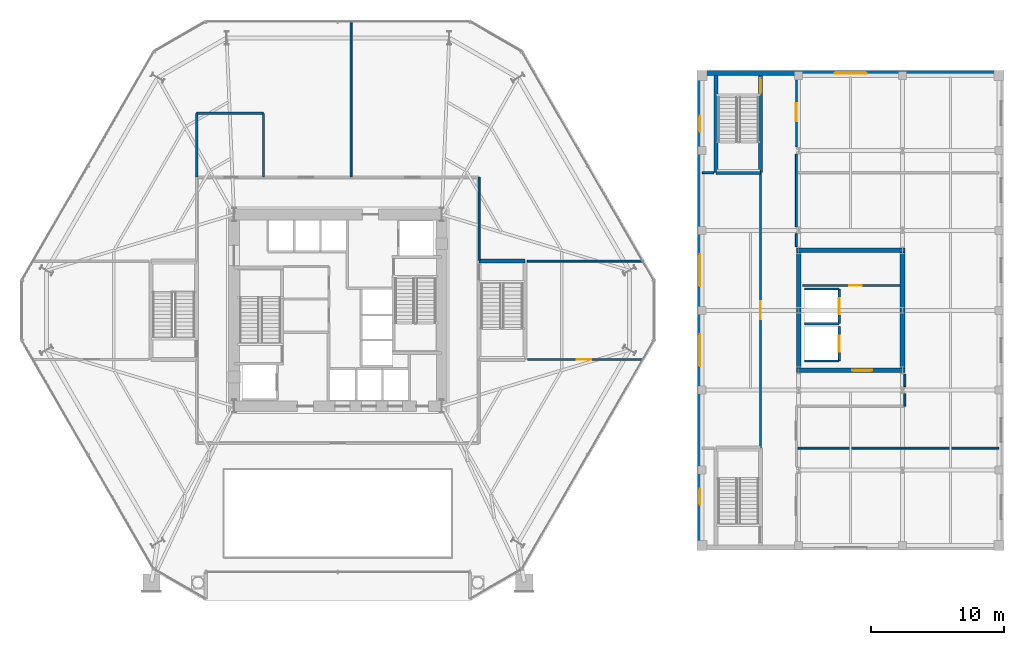
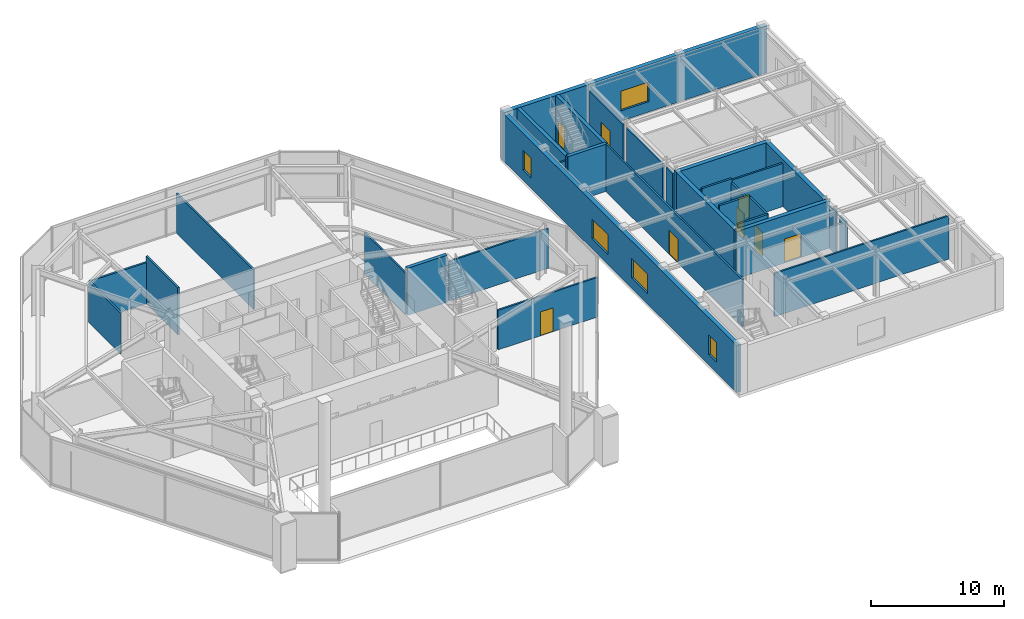
# One storey, part 17 of 22: 31 walls, 8 doors, 5 windows, 13 openings.
"""IFC4 building model written with IfcOpenShell, lengths in metres."""

from ifc_helpers import new_model, si_unit, direction, frame, frame_2d, origin, place, context, subcontext, project, spatial, rectangle, extrude, material, layer, layer_set, type_object, element, fill, save


model = new_model("IFC4")

# Units and contexts
model_context = context("Model", 3, precision=1e-05, world=origin(), true_north=direction((0.0, 1.0)))
body_context = subcontext(model_context, "Body", "Model", "MODEL_VIEW")
ifc_project = project(units=[si_unit("LENGTHUNIT", "METRE"), si_unit("AREAUNIT", "SQUARE_METRE"), si_unit("VOLUMEUNIT", "CUBIC_METRE"), si_unit("PLANEANGLEUNIT", "RADIAN"), si_unit("MASSUNIT", "GRAM", prefix="KILO")], contexts=[model_context])

# Site, building, storey
site_placement = place(None, origin())
site = spatial("IfcSite", under=ifc_project, at=site_placement, CompositionType="ELEMENT")
building_placement = place(site_placement, origin())
building = spatial("IfcBuilding", under=site, at=building_placement, Name="Kranzbogen Civic Tower", CompositionType="ELEMENT")
storey_placement = place(building_placement, frame((0.0, 0.0, 5.199951171875)))
storey = spatial("IfcBuildingStorey", under=building, at=storey_placement, Name="L01", CompositionType="ELEMENT", Elevation=5.199951171875)

# Wall
ifc_material_1 = material(Name="Double-Stud Acoustic Gypsum Partition")
ifc_layer_1 = layer(ifc_material_1, 0.14990234375, Name="Double-Stud Acoustic Gypsum Partition")
ifc_layer_set_1 = layer_set([ifc_layer_1], Name="Double-Stud Acoustic Gypsum Partition")
wall_type_1 = type_object("IfcWallType", Name="Acoustic Corridor and Clinical Partition 150 mm", PredefinedType="PARTITIONING", material=ifc_layer_set_1)
wall_1_placement = place(storey_placement, frame((35.60009765625, 28.75, 0.0), z_axis=(0.0, 0.0, 1.0), x_axis=(0.0, 1.0, 0.0)))
element("IfcWall", 1, at=wall_1_placement, inside=storey, type_object=wall_type_1, Name="L01 podium concourse E2 wall", PredefinedType="PARTITIONING", context=body_context, shape_type="SweptSolid", body=[
    extrude(rectangle(XDim=6.25, YDim=0.14990234375, at=frame_2d((3.125, 0.0))), origin(), (0.0, 0.0, 1.0), 3.7900390625),
])

# Wall, opening, door
wall_2_placement = place(storey_placement, frame((39.22998046875, 21.300048828125, 0.0), z_axis=(0.0, 0.0, 1.0), x_axis=(1.0, 0.0, 0.0)))
wall_2 = element("IfcWall", 2, at=wall_2_placement, inside=storey, type_object=wall_type_1, Name="L01 podium partition 06", PredefinedType="PARTITIONING", context=body_context, shape_type="SweptSolid", body=[
    extrude(rectangle(XDim=8.68994140625, YDim=0.14990234375, at=frame_2d((4.344970703125, 0.0))), origin(), (0.0, 0.0, 1.0), 3.64013671875),
])
opening_1_placement = place(wall_2_placement, frame((3.7060546875, 0.0, 0.0)))
opening_1 = element("IfcOpeningElement", 3, at=opening_1_placement, cuts=wall_2, Name="Opening D-COR60", PredefinedType="OPENING", context=body_context, shape_type="SweptSolid", body=[
    extrude(rectangle(XDim=1.10009765625, YDim=2.199951171875, at=frame_2d((0.550048828125, 1.10009765625))), frame((0.0, 0.0849609375, 0.0), z_axis=(0.0, -1.0, 0.0), x_axis=(1.0, 0.0, 0.0)), (0.0, 0.0, 1.0), 0.169921875),
])
ifc_material_2 = material(Name="Oak Timber and Fire Core", Category="wood")
door_type_1 = type_object("IfcDoorType", Name="Corridor Acoustic Fire Door 1100x2200", OperationType="NOTDEFINED", PredefinedType="DOOR", material=ifc_material_2)
door_1_placement = place(opening_1_placement, origin())
door_1 = element("IfcDoor", 4, at=door_1_placement, inside=storey, type_object=door_type_1, Name="L01 Municipal Archive Room door", OperationType="SINGLE_SWING_RIGHT", OverallHeight=2.199951171875, OverallWidth=1.10009765625, PredefinedType="DOOR", context=body_context, shape_type="SweptSolid", body=[
    extrude(rectangle(XDim=1.10009765625, YDim=2.199951171875, at=frame_2d((0.550048828125, 1.10009765625))), frame((0.0, 0.02490234375, 0.0), z_axis=(0.0, -1.0, 0.0), x_axis=(1.0, 0.0, 0.0)), (0.0, 0.0, 1.0), 0.050048828125),
])
fill(opening_1, door_1)

# Walls
wall_3_placement = place(storey_placement, frame((39.22998046875, 28.699951171875, 0.0), z_axis=(0.0, 0.0, 1.0), x_axis=(1.0, 0.0, 0.0)))
element("IfcWall", 5, at=wall_3_placement, inside=storey, type_object=wall_type_1, Name="L01 podium partition 07", PredefinedType="PARTITIONING", context=body_context, shape_type="SweptSolid", body=[
    extrude(rectangle(XDim=8.68994140625, YDim=0.14990234375, at=frame_2d((4.344970703125, 0.0))), origin(), (0.0, 0.0, 1.0), 3.64013671875),
])
wall_4_placement = place(storey_placement, frame((26.0, 35.030029296875, 0.0), z_axis=(0.0, 0.0, 1.0), x_axis=(0.0, 1.0, 0.0)))
element("IfcWall", 6, at=wall_4_placement, inside=storey, type_object=wall_type_1, Name="L01 podium partition 08", PredefinedType="PARTITIONING", context=body_context, shape_type="SweptSolid", body=[
    extrude(rectangle(XDim=11.669921875, YDim=0.14990234375, at=frame_2d((5.8349609375, 0.0))), origin(), (0.0, 0.0, 1.0), 3.64013671875),
])

# Wall, opening, door
wall_5_placement = place(storey_placement, frame((56.75, 14.64990234375, 0.0), z_axis=(0.0, 0.0, 1.0), x_axis=(0.0, 1.0, 0.0)))
wall_5 = element("IfcWall", 7, at=wall_5_placement, inside=storey, type_object=wall_type_1, Name="L01 clinical corridor W wall", PredefinedType="PARTITIONING", context=body_context, shape_type="SweptSolid", body=[
    extrude(rectangle(XDim=20.7001953125, YDim=0.14990234375, at=frame_2d((10.35009765625, 0.0))), origin(), (0.0, 0.0, 1.0), 4.340087890625),
])
opening_2_placement = place(wall_5_placement, frame((9.675048828125, 0.0, 0.0)))
opening_2 = element("IfcOpeningElement", 8, at=opening_2_placement, cuts=wall_5, Name="Opening D-CLN60", PredefinedType="OPENING", context=body_context, shape_type="SweptSolid", body=[
    extrude(rectangle(XDim=1.35009765625, YDim=2.199951171875, at=frame_2d((0.675048828125, 1.10009765625))), frame((0.0, 0.0849609375, 0.0), z_axis=(0.0, -1.0, 0.0), x_axis=(1.0, 0.0, 0.0)), (0.0, 0.0, 1.0), 0.169921875),
])
ifc_material_3 = material(Name="Pale Anodised Aluminium", Category="aluminium")
door_type_2 = type_object("IfcDoorType", Name="Clinical Wide Leaf Door 1350x2200", OperationType="NOTDEFINED", PredefinedType="DOOR", material=ifc_material_3)
door_2_placement = place(opening_2_placement, origin())
door_2 = element("IfcDoor", 9, at=door_2_placement, inside=storey, type_object=door_type_2, Name="L01 General Practice Suite 1 door", OperationType="SINGLE_SWING_LEFT", OverallHeight=2.199951171875, OverallWidth=1.35009765625, PredefinedType="DOOR", context=body_context, shape_type="SweptSolid", body=[
    extrude(rectangle(XDim=1.35009765625, YDim=2.199951171875, at=frame_2d((0.675048828125, 1.10009765625))), frame((0.0, 0.02490234375, 0.0), z_axis=(0.0, -1.0, 0.0), x_axis=(1.0, 0.0, 0.0)), (0.0, 0.0, 1.0), 0.050048828125),
])
fill(opening_2, door_2)

# Walls
wall_6_placement = place(storey_placement, frame((59.425048828125, 29.7900390625, 0.0), z_axis=(0.0, 0.0, 1.0), x_axis=(0.0, 1.0, 0.0)))
element("IfcWall", 10, at=wall_6_placement, inside=storey, type_object=wall_type_1, Name="L01 clinical corridor E2 wall part 1", PredefinedType="PARTITIONING", context=body_context, shape_type="SweptSolid", body=[
    extrude(rectangle(XDim=0.945068359375, YDim=0.14990234375, at=frame_2d((0.47265625, 0.0))), origin(), (0.0, 0.0, 1.0), 3.97998046875),
])
wall_7_placement = place(storey_placement, frame((59.425048828125, 31.264892578125, 0.0), z_axis=(0.0, 0.0, 1.0), x_axis=(0.0, 1.0, 0.0)))
element("IfcWall", 11, at=wall_7_placement, inside=storey, type_object=wall_type_1, Name="L01 clinical corridor E2 wall part 2", PredefinedType="PARTITIONING", context=body_context, shape_type="SweptSolid", body=[
    extrude(rectangle(XDim=5.47021484375, YDim=0.14990234375, at=frame_2d((2.735107421875, 0.0))), origin(), (0.0, 0.0, 1.0), 3.97998046875),
])

# Wall, opening, door
wall_8_placement = place(storey_placement, frame((59.425048828125, 37.264892578125, 0.0), z_axis=(0.0, 0.0, 1.0), x_axis=(0.0, 1.0, 0.0)))
wall_8 = element("IfcWall", 12, at=wall_8_placement, inside=storey, type_object=wall_type_1, Name="L01 clinical corridor E2 wall part 3", PredefinedType="PARTITIONING", context=body_context, shape_type="SweptSolid", body=[
    extrude(rectangle(XDim=5.045166015625, YDim=0.14990234375, at=frame_2d((2.5224609375, 0.0))), origin(), (0.0, 0.0, 1.0), 3.97998046875),
])
opening_3_placement = place(wall_8_placement, frame((1.93603515625, 0.0, 0.0)))
opening_3 = element("IfcOpeningElement", 13, at=opening_3_placement, cuts=wall_8, Name="Opening D-CLN60", PredefinedType="OPENING", context=body_context, shape_type="SweptSolid", body=[
    extrude(rectangle(XDim=1.35009765625, YDim=2.199951171875, at=frame_2d((0.675048828125, 1.10009765625))), frame((0.0, 0.0849609375, 0.0), z_axis=(0.0, -1.0, 0.0), x_axis=(1.0, 0.0, 0.0)), (0.0, 0.0, 1.0), 0.169921875),
])
door_3_placement = place(opening_3_placement, origin())
door_3 = element("IfcDoor", 14, at=door_3_placement, inside=storey, type_object=door_type_2, Name="L01 Clinical Nursing Station door", OperationType="SINGLE_SWING_LEFT", OverallHeight=2.199951171875, OverallWidth=1.35009765625, PredefinedType="DOOR", context=body_context, shape_type="SweptSolid", body=[
    extrude(rectangle(XDim=1.35009765625, YDim=2.199951171875, at=frame_2d((0.675048828125, 1.10009765625))), frame((0.0, 0.02490234375, 0.0), z_axis=(0.0, -1.0, 0.0), x_axis=(1.0, 0.0, 0.0)), (0.0, 0.0, 1.0), 0.050048828125),
])
fill(opening_3, door_3)

# Walls
wall_9_placement = place(storey_placement, frame((67.574951171875, 17.800048828125, 0.0), z_axis=(0.0, 0.0, 1.0), x_axis=(0.0, 1.0, 0.0)))
element("IfcWall", 15, at=wall_9_placement, inside=storey, type_object=wall_type_1, Name="L01 clinical partition 01 part 1", PredefinedType="PARTITIONING", context=body_context, shape_type="SweptSolid", body=[
    extrude(rectangle(XDim=0.93505859375, YDim=0.14990234375, at=frame_2d((0.467529296875, 0.0))), origin(), (0.0, 0.0, 1.0), 3.97998046875),
])
wall_10_placement = place(storey_placement, frame((67.574951171875, 19.264892578125, 0.0), z_axis=(0.0, 0.0, 1.0), x_axis=(0.0, 1.0, 0.0)))
element("IfcWall", 16, at=wall_10_placement, inside=storey, type_object=wall_type_1, Name="L01 clinical partition 01 part 2", PredefinedType="PARTITIONING", context=body_context, shape_type="SweptSolid", body=[
    extrude(rectangle(XDim=0.945068359375, YDim=0.14990234375, at=frame_2d((0.47265625, 0.0))), origin(), (0.0, 0.0, 1.0), 3.97998046875),
])
wall_11_placement = place(storey_placement, frame((59.455078125, 14.64990234375, 0.0), z_axis=(0.0, 0.0, 1.0), x_axis=(1.0, 0.0, 0.0)))
element("IfcWall", 17, at=wall_11_placement, inside=storey, type_object=wall_type_1, Name="L01 clinical partition 04", PredefinedType="PARTITIONING", context=body_context, shape_type="SweptSolid", body=[
    extrude(rectangle(XDim=15.1650390625, YDim=0.14990234375, at=frame_2d((7.58251953125, 0.0))), origin(), (0.0, 0.0, 1.0), 3.97998046875),
])
wall_12_placement = place(storey_placement, frame((52.3798828125, 35.35009765625, 0.0), z_axis=(0.0, 0.0, 1.0), x_axis=(1.0, 0.0, 0.0)))
element("IfcWall", 18, at=wall_12_placement, inside=storey, type_object=wall_type_1, Name="L01 clinical partition 05", PredefinedType="PARTITIONING", context=body_context, shape_type="SweptSolid", body=[
    extrude(rectangle(XDim=0.840087890625, YDim=0.14990234375, at=frame_2d((0.419921875, 0.0))), origin(), (0.0, 0.0, 1.0), 3.97998046875),
])

# Wall, opening, door
ifc_material_4 = material(Name="Gypsum Fireboard Shaftliner")
ifc_layer_2 = layer(ifc_material_4, 0.175048828125, Name="Gypsum Fireboard Shaftliner")
ifc_layer_set_2 = layer_set([ifc_layer_2], Name="Gypsum Fireboard Shaftliner")
wall_type_2 = type_object("IfcWallType", Name="Fire-Rated Lift and Service Shaft Wall 175 mm", PredefinedType="PARTITIONING", material=ifc_layer_set_2)
wall_13_placement = place(storey_placement, frame((62.64990234375, 21.199951171875, 0.0), z_axis=(0.0, 0.0, 1.0), x_axis=(0.0, 1.0, 0.0)))
wall_13 = element("IfcWall", 19, at=wall_13_placement, inside=storey, type_object=wall_type_2, Name="L01 lift HC-L1 landing wall", PredefinedType="PARTITIONING", context=body_context, shape_type="SweptSolid", body=[
    extrude(rectangle(XDim=2.60009765625, YDim=0.175048828125, at=frame_2d((1.300048828125, 0.0))), origin(), (0.0, 0.0, 1.0), 4.340087890625),
])
opening_4_placement = place(wall_13_placement, frame((0.699951171875, 0.0, 0.0)))
opening_4 = element("IfcOpeningElement", 20, at=opening_4_placement, cuts=wall_13, Name="Opening LD-HC-L1", PredefinedType="OPENING", context=body_context, shape_type="SweptSolid", body=[
    extrude(rectangle(XDim=1.199951171875, YDim=2.199951171875, at=frame_2d((0.60009765625, 1.10009765625))), frame((0.0, 0.09765625, 0.0), z_axis=(0.0, -1.0, 0.0), x_axis=(1.0, 0.0, 0.0)), (0.0, 0.0, 1.0), 0.195068359375),
])
door_type_3 = type_object("IfcDoorType", Name="Firefighting and Stretcher Lift Sliding Landing Door 1200x2200", OperationType="DOUBLE_DOOR_SLIDING", PredefinedType="DOOR", material=ifc_material_3)
door_4_placement = place(opening_4_placement, origin())
door_4 = element("IfcDoor", 21, at=door_4_placement, inside=storey, type_object=door_type_3, Name="L01 lift HC-L1 sliding landing door", OperationType="DOUBLE_DOOR_SLIDING", OverallHeight=2.199951171875, OverallWidth=1.199951171875, PredefinedType="DOOR", context=body_context, shape_type="SweptSolid", body=[
    extrude(rectangle(XDim=1.199951171875, YDim=2.199951171875, at=frame_2d((0.60009765625, 1.10009765625))), frame((0.0, 0.02490234375, 0.0), z_axis=(0.0, -1.0, 0.0), x_axis=(1.0, 0.0, 0.0)), (0.0, 0.0, 1.0), 0.050048828125),
])
fill(opening_4, door_4)

# Wall
wall_14_placement = place(storey_placement, frame((60.050048828125, 21.199951171875, 0.0), z_axis=(0.0, 0.0, 1.0), x_axis=(1.0, 0.0, 0.0)))
element("IfcWall", 22, at=wall_14_placement, inside=storey, type_object=wall_type_2, Name="L01 lift HC-L1 side wall", PredefinedType="PARTITIONING", context=body_context, shape_type="SweptSolid", body=[
    extrude(rectangle(XDim=2.599853515625, YDim=0.175048828125, at=frame_2d((1.2998046875, 0.0))), origin(), (0.0, 0.0, 1.0), 4.340087890625),
])

# Wall, opening, door
wall_15_placement = place(storey_placement, frame((62.64990234375, 24.0, 0.0), z_axis=(0.0, 0.0, 1.0), x_axis=(0.0, 1.0, 0.0)))
wall_15 = element("IfcWall", 23, at=wall_15_placement, inside=storey, type_object=wall_type_2, Name="L01 lift HC-L2 landing wall", PredefinedType="PARTITIONING", context=body_context, shape_type="SweptSolid", body=[
    extrude(rectangle(XDim=2.60009765625, YDim=0.175048828125, at=frame_2d((1.300048828125, 0.0))), origin(), (0.0, 0.0, 1.0), 3.97998046875),
])
opening_5_placement = place(wall_15_placement, frame((0.699951171875, 0.0, 0.0)))
opening_5 = element("IfcOpeningElement", 24, at=opening_5_placement, cuts=wall_15, Name="Opening LD-HC-L2", PredefinedType="OPENING", context=body_context, shape_type="SweptSolid", body=[
    extrude(rectangle(XDim=1.199951171875, YDim=2.199951171875, at=frame_2d((0.60009765625, 1.10009765625))), frame((0.0, 0.09765625, 0.0), z_axis=(0.0, -1.0, 0.0), x_axis=(1.0, 0.0, 0.0)), (0.0, 0.0, 1.0), 0.195068359375),
])
door_5_placement = place(opening_5_placement, origin())
door_5 = element("IfcDoor", 25, at=door_5_placement, inside=storey, type_object=door_type_3, Name="L01 lift HC-L2 sliding landing door", OperationType="DOUBLE_DOOR_SLIDING", OverallHeight=2.199951171875, OverallWidth=1.199951171875, PredefinedType="DOOR", context=body_context, shape_type="SweptSolid", body=[
    extrude(rectangle(XDim=1.199951171875, YDim=2.199951171875, at=frame_2d((0.60009765625, 1.10009765625))), frame((0.0, 0.02490234375, 0.0), z_axis=(0.0, -1.0, 0.0), x_axis=(1.0, 0.0, 0.0)), (0.0, 0.0, 1.0), 0.050048828125),
])
fill(opening_5, door_5)

# Walls
for number, where, z_axis, x_axis, name in (
    (26, (60.050048828125, 24.0, 0.0), (0.0, 0.0, 1.0), (1.0, 0.0, 0.0), "L01 lift HC-L2 side wall"),
    (27, (60.050048828125, 26.60009765625, 0.0), (0.0, 0.0, 1.0), (1.0, 0.0, 0.0), "L01 lift HC-L2 North shaft wall"),
):
    element("IfcWall", number, at=place(storey_placement, frame(where, z_axis=z_axis, x_axis=x_axis)), inside=storey, type_object=wall_type_2, Name=name, PredefinedType="PARTITIONING", context=body_context, shape_type="SweptSolid", body=[
        extrude(rectangle(XDim=2.599853515625, YDim=0.175048828125, at=frame_2d((1.2998046875, 0.0))), origin(), (0.0, 0.0, 1.0), 4.340087890625),
    ])

# Wall, opening, door
ifc_material_5 = material(Name="Concrete C40/50", Category="concrete")
ifc_layer_3 = layer(ifc_material_5, 0.35009765625, Name="Concrete C40/50")
ifc_layer_set_3 = layer_set([ifc_layer_3], Name="Concrete C40/50")
wall_type_3 = type_object("IfcWallType", Name="Health Centre Core Shear Wall 350 mm", PredefinedType="SHEAR", material=ifc_layer_set_3)
wall_16_placement = place(storey_placement, frame((59.425048828125, 20.5, 0.0), z_axis=(0.0, 0.0, 1.0), x_axis=(1.0, 0.0, 0.0)))
wall_16 = element("IfcWall", 28, at=wall_16_placement, inside=storey, type_object=wall_type_3, Name="L01 Health Centre core South shear wall", PredefinedType="SHEAR", context=body_context, shape_type="SweptSolid", body=[
    extrude(rectangle(XDim=8.14990234375, YDim=0.35009765625, at=frame_2d((4.074951171875, 0.0))), origin(), (0.0, 0.0, 1.0), 4.340087890625),
])
opening_6_placement = place(wall_16_placement, frame((4.199951171875, 0.0, 0.0)))
opening_6 = element("IfcOpeningElement", 29, at=opening_6_placement, cuts=wall_16, Name="Opening D-DBL15", PredefinedType="OPENING", context=body_context, shape_type="SweptSolid", body=[
    extrude(rectangle(XDim=1.5, YDim=2.199951171875, at=frame_2d((0.75, 1.10009765625))), frame((0.0, 0.18505859375, 0.0), z_axis=(0.0, -1.0, 0.0), x_axis=(1.0, 0.0, 0.0)), (0.0, 0.0, 1.0), 0.3701171875),
])
ifc_material_6 = material(Name="Anodised Bronze and Glass", Category="glass")
door_type_4 = type_object("IfcDoorType", Name="Civic Lobby Double Door 1500x2200", OperationType="DOUBLE_DOOR_SINGLE_SWING", PredefinedType="DOOR", material=ifc_material_6)
door_6_placement = place(opening_6_placement, origin())
door_6 = element("IfcDoor", 30, at=door_6_placement, inside=storey, type_object=door_type_4, Name="L01 Health Centre Lift Lobby door", OperationType="DOUBLE_DOOR_SINGLE_SWING", OverallHeight=2.199951171875, OverallWidth=1.5, PredefinedType="DOOR", context=body_context, shape_type="SweptSolid", body=[
    extrude(rectangle(XDim=1.5, YDim=2.199951171875, at=frame_2d((0.75, 1.10009765625))), frame((0.0, 0.02490234375, 0.0), z_axis=(0.0, -1.0, 0.0), x_axis=(1.0, 0.0, 0.0)), (0.0, 0.0, 1.0), 0.050048828125),
])
fill(opening_6, door_6)

# Walls
wall_17_placement = place(storey_placement, frame((67.574951171875, 29.5, 0.0), z_axis=(0.0, 0.0, 1.0), x_axis=(-1.0, 0.0, 0.0)))
element("IfcWall", 31, at=wall_17_placement, inside=storey, type_object=wall_type_3, Name="L01 Health Centre core North shear wall", PredefinedType="SHEAR", context=body_context, shape_type="SweptSolid", body=[
    extrude(rectangle(XDim=8.14990234375, YDim=0.35009765625, at=frame_2d((4.074951171875, 0.0))), origin(), (0.0, 0.0, 1.0), 4.340087890625),
])
for number, where, z_axis, x_axis, name in (
    (32, (59.60009765625, 29.324951171875, 0.0), (0.0, 0.0, 1.0), (0.0, -1.0, 0.0), "L01 Health Centre core West shear wall"),
    (33, (67.39990234375, 20.675048828125, 0.0), (0.0, 0.0, 1.0), (0.0, 1.0, 0.0), "L01 Health Centre core East shear wall"),
):
    element("IfcWall", number, at=place(storey_placement, frame(where, z_axis=z_axis, x_axis=x_axis)), inside=storey, type_object=wall_type_3, Name=name, PredefinedType="SHEAR", context=body_context, shape_type="SweptSolid", body=[
        extrude(rectangle(XDim=8.64990234375, YDim=0.35009765625, at=frame_2d((4.324951171875, 0.0))), origin(), (0.0, 0.0, 1.0), 4.340087890625),
    ])

# Wall, opening, window
ifc_material_7 = material(Name="Precast concrete C40/50", Category="concrete")
ifc_layer_4 = layer(ifc_material_7, 0.3798828125, Name="Precast concrete C40/50")
ifc_layer_set_4 = layer_set([ifc_layer_4], Name="Precast concrete C40/50")
wall_type_4 = type_object("IfcWallType", Name="Health Centre Insulated Precast Facade Wall 380 mm", PredefinedType="STANDARD", material=ifc_layer_set_4)
wall_18_placement = place(storey_placement, frame((52.0, 42.81005859375, 0.0), z_axis=(0.0, 0.0, 1.0), x_axis=(1.0, 0.0, 0.0)))
wall_18 = element("IfcWall", 34, at=wall_18_placement, inside=storey, type_object=wall_type_4, Name="L01 Health Centre North facade wall", PredefinedType="STANDARD", context=body_context, shape_type="SweptSolid", body=[
    extrude(rectangle(XDim=23.0, YDim=0.3798828125, at=frame_2d((11.5, 0.0))), origin(), (0.0, 0.0, 1.0), 4.340087890625),
])
opening_7_placement = place(wall_18_placement, frame((10.300048828125, 0.0, 0.949951171875)))
opening_7 = element("IfcOpeningElement", 35, at=opening_7_placement, cuts=wall_18, Name="Opening W-HC24", PredefinedType="OPENING", context=body_context, shape_type="SweptSolid", body=[
    extrude(rectangle(XDim=2.39990234375, YDim=1.800048828125, at=frame_2d((1.199951171875, 0.89990234375))), frame((0.0, 0.199951171875, 0.0), z_axis=(0.0, -1.0, 0.0), x_axis=(1.0, 0.0, 0.0)), (0.0, 0.0, 1.0), 0.39990234375),
])
ifc_material_8 = material(Name="Low-E Triple Glazing Glass", Category="glass")
window_type_1 = type_object("IfcWindowType", Name="Wide Clinical Window 2400x1800", PartitioningType="TRIPLE_PANEL_VERTICAL", PredefinedType="WINDOW", material=ifc_material_8)
window_1_placement = place(opening_7_placement, origin())
window_1 = element("IfcWindow", 36, at=window_1_placement, inside=storey, type_object=window_type_1, Name="L01 Health Centre North window", OverallHeight=1.800048828125, OverallWidth=2.39990234375, PartitioningType="TRIPLE_PANEL_VERTICAL", PredefinedType="WINDOW", context=body_context, shape_type="SweptSolid", body=[
    extrude(rectangle(XDim=2.39990234375, YDim=1.800048828125, at=frame_2d((1.199951171875, 0.89990234375))), frame((0.0, 0.030029296875, 0.0), z_axis=(0.0, -1.0, 0.0), x_axis=(1.0, 0.0, 0.0)), (0.0, 0.0, 1.0), 0.06005859375),
])
fill(opening_7, window_1)

# Wall, openings, windows
wall_19_placement = place(storey_placement, frame((52.18994140625, 7.3798828125, 0.0), z_axis=(0.0, 0.0, 1.0), x_axis=(0.0, 1.0, 0.0)))
wall_19 = element("IfcWall", 37, at=wall_19_placement, inside=storey, type_object=wall_type_4, Name="L01 Health Centre West facade wall", PredefinedType="STANDARD", context=body_context, shape_type="SweptSolid", body=[
    extrude(rectangle(XDim=35.240234375, YDim=0.3798828125, at=frame_2d((17.6201171875, 0.0))), origin(), (0.0, 0.0, 1.0), 4.340087890625),
])
opening_8_placement = place(wall_19_placement, frame((3.02001953125, 0.0, 0.949951171875)))
opening_8 = element("IfcOpeningElement", 38, at=opening_8_placement, cuts=wall_19, Name="Opening W-HC12", PredefinedType="OPENING", context=body_context, shape_type="SweptSolid", body=[
    extrude(rectangle(XDim=1.199951171875, YDim=1.800048828125, at=frame_2d((0.60009765625, 0.89990234375))), frame((0.0, 0.199951171875, 0.0), z_axis=(0.0, -1.0, 0.0), x_axis=(1.0, 0.0, 0.0)), (0.0, 0.0, 1.0), 0.39990234375),
])
opening_9_placement = place(wall_19_placement, frame((13.419921875, 0.0, 0.949951171875)))
opening_9 = element("IfcOpeningElement", 39, at=opening_9_placement, cuts=wall_19, Name="Opening W-HC24", PredefinedType="OPENING", context=body_context, shape_type="SweptSolid", body=[
    extrude(rectangle(XDim=2.39990234375, YDim=1.800048828125, at=frame_2d((1.199951171875, 0.89990234375))), frame((0.0, 0.199951171875, 0.0), z_axis=(0.0, -1.0, 0.0), x_axis=(1.0, 0.0, 0.0)), (0.0, 0.0, 1.0), 0.39990234375),
])
opening_10_placement = place(wall_19_placement, frame((19.419921875, 0.0, 0.949951171875)))
opening_10 = element("IfcOpeningElement", 40, at=opening_10_placement, cuts=wall_19, Name="Opening W-HC24", PredefinedType="OPENING", context=body_context, shape_type="SweptSolid", body=[
    extrude(rectangle(XDim=2.39990234375, YDim=1.800048828125, at=frame_2d((1.199951171875, 0.89990234375))), frame((0.0, 0.199951171875, 0.0), z_axis=(0.0, -1.0, 0.0), x_axis=(1.0, 0.0, 0.0)), (0.0, 0.0, 1.0), 0.39990234375),
])
opening_11_placement = place(wall_19_placement, frame((31.02001953125, 0.0, 0.949951171875)))
opening_11 = element("IfcOpeningElement", 41, at=opening_11_placement, cuts=wall_19, Name="Opening W-HC12", PredefinedType="OPENING", context=body_context, shape_type="SweptSolid", body=[
    extrude(rectangle(XDim=1.199951171875, YDim=1.800048828125, at=frame_2d((0.60009765625, 0.89990234375))), frame((0.0, 0.199951171875, 0.0), z_axis=(0.0, -1.0, 0.0), x_axis=(1.0, 0.0, 0.0)), (0.0, 0.0, 1.0), 0.39990234375),
])
window_type_2 = type_object("IfcWindowType", Name="Stair and End-Bay Window 1200x1800", PartitioningType="SINGLE_PANEL", PredefinedType="WINDOW", material=ifc_material_8)
window_2_placement = place(opening_8_placement, origin())
window_2 = element("IfcWindow", 42, at=window_2_placement, inside=storey, type_object=window_type_2, Name="L01 Health Centre West bay 1 window", OverallHeight=1.800048828125, OverallWidth=1.199951171875, PartitioningType="SINGLE_PANEL", PredefinedType="WINDOW", context=body_context, shape_type="SweptSolid", body=[
    extrude(rectangle(XDim=1.199951171875, YDim=1.800048828125, at=frame_2d((0.60009765625, 0.89990234375))), frame((0.0, 0.030029296875, 0.0), z_axis=(0.0, -1.0, 0.0), x_axis=(1.0, 0.0, 0.0)), (0.0, 0.0, 1.0), 0.06005859375),
])
fill(opening_8, window_2)
window_3_placement = place(opening_11_placement, origin())
window_3 = element("IfcWindow", 43, at=window_3_placement, inside=storey, type_object=window_type_2, Name="L01 Health Centre West bay 4 window", OverallHeight=1.800048828125, OverallWidth=1.199951171875, PartitioningType="SINGLE_PANEL", PredefinedType="WINDOW", context=body_context, shape_type="SweptSolid", body=[
    extrude(rectangle(XDim=1.199951171875, YDim=1.800048828125, at=frame_2d((0.60009765625, 0.89990234375))), frame((0.0, 0.030029296875, 0.0), z_axis=(0.0, -1.0, 0.0), x_axis=(1.0, 0.0, 0.0)), (0.0, 0.0, 1.0), 0.06005859375),
])
fill(opening_11, window_3)
window_4_placement = place(opening_9_placement, origin())
window_4 = element("IfcWindow", 44, at=window_4_placement, inside=storey, type_object=window_type_1, Name="L01 Health Centre West bay 2 window", OverallHeight=1.800048828125, OverallWidth=2.39990234375, PartitioningType="TRIPLE_PANEL_VERTICAL", PredefinedType="WINDOW", context=body_context, shape_type="SweptSolid", body=[
    extrude(rectangle(XDim=2.39990234375, YDim=1.800048828125, at=frame_2d((1.199951171875, 0.89990234375))), frame((0.0, 0.030029296875, 0.0), z_axis=(0.0, -1.0, 0.0), x_axis=(1.0, 0.0, 0.0)), (0.0, 0.0, 1.0), 0.06005859375),
])
fill(opening_9, window_4)
window_5_placement = place(opening_10_placement, origin())
window_5 = element("IfcWindow", 45, at=window_5_placement, inside=storey, type_object=window_type_1, Name="L01 Health Centre West bay 3 window", OverallHeight=1.800048828125, OverallWidth=2.39990234375, PartitioningType="TRIPLE_PANEL_VERTICAL", PredefinedType="WINDOW", context=body_context, shape_type="SweptSolid", body=[
    extrude(rectangle(XDim=2.39990234375, YDim=1.800048828125, at=frame_2d((1.199951171875, 0.89990234375))), frame((0.0, 0.030029296875, 0.0), z_axis=(0.0, -1.0, 0.0), x_axis=(1.0, 0.0, 0.0)), (0.0, 0.0, 1.0), 0.06005859375),
])
fill(opening_10, window_5)

# Wall, opening, door
ifc_material_9 = material(Name="Moisture-Resistant Gypsum Assembly")
ifc_layer_5 = layer(ifc_material_9, 0.159912109375, Name="Moisture-Resistant Gypsum Assembly")
ifc_layer_set_5 = layer_set([ifc_layer_5], Name="Moisture-Resistant Gypsum Assembly")
wall_type_5 = type_object("IfcWallType", Name="Sanitary and Plumbing Wet Wall 160 mm", PredefinedType="PLUMBINGWALL", material=ifc_layer_set_5)
wall_20_placement = place(storey_placement, frame((59.89990234375, 26.875, 0.0), z_axis=(0.0, 0.0, 1.0), x_axis=(1.0, 0.0, 0.0)))
wall_20 = element("IfcWall", 46, at=wall_20_placement, inside=storey, type_object=wall_type_5, Name="L01 HC Accessible WC wall", PredefinedType="PLUMBINGWALL", context=body_context, shape_type="SweptSolid", body=[
    extrude(rectangle(XDim=7.3251953125, YDim=0.159912109375, at=frame_2d((3.66259765625, 0.0))), origin(), (0.0, 0.0, 1.0), 3.97998046875),
])
opening_12_placement = place(wall_20_placement, frame((3.5, 0.0, 0.0)))
opening_12 = element("IfcOpeningElement", 47, at=opening_12_placement, cuts=wall_20, Name="Opening D-AWC95", PredefinedType="OPENING", context=body_context, shape_type="SweptSolid", body=[
    extrude(rectangle(XDim=0.949951171875, YDim=2.10009765625, at=frame_2d((0.47509765625, 1.050048828125))), frame((0.0, 0.08984375, 0.0), z_axis=(0.0, -1.0, 0.0), x_axis=(1.0, 0.0, 0.0)), (0.0, 0.0, 1.0), 0.179931640625),
])
ifc_material_10 = material(Name="Moisture-Resistant Laminate")
door_type_5 = type_object("IfcDoorType", Name="Accessible Restroom Door 950x2100", OperationType="NOTDEFINED", PredefinedType="DOOR", material=ifc_material_10)
door_7_placement = place(opening_12_placement, origin())
door_7 = element("IfcDoor", 48, at=door_7_placement, inside=storey, type_object=door_type_5, Name="L01 Patient Accessible Restroom door", OperationType="SINGLE_SWING_RIGHT", OverallHeight=2.10009765625, OverallWidth=0.949951171875, PredefinedType="DOOR", context=body_context, shape_type="SweptSolid", body=[
    extrude(rectangle(XDim=0.949951171875, YDim=2.10009765625, at=frame_2d((0.47509765625, 1.050048828125))), frame((0.0, 0.02490234375, 0.0), z_axis=(0.0, -1.0, 0.0), x_axis=(1.0, 0.0, 0.0)), (0.0, 0.0, 1.0), 0.050048828125),
])
fill(opening_12, door_7)

# Walls
wall_21_placement = place(storey_placement, frame((14.39990234375, 39.800048828125, 0.0), z_axis=(0.0, 0.0, 1.0), x_axis=(1.0, 0.0, 0.0)))
element("IfcWall", 49, at=wall_21_placement, inside=storey, type_object=wall_type_5, Name="L01 podium partition 01", PredefinedType="PLUMBINGWALL", context=body_context, shape_type="SweptSolid", body=[
    extrude(rectangle(XDim=5.0, YDim=0.159912109375, at=frame_2d((2.5, 0.0))), origin(), (0.0, 0.0, 1.0), 3.7900390625),
])
wall_22_placement = place(storey_placement, frame((19.39990234375, 35.0, 0.0), z_axis=(0.0, 0.0, 1.0), x_axis=(0.0, 1.0, 0.0)))
element("IfcWall", 50, at=wall_22_placement, inside=storey, type_object=wall_type_5, Name="L01 podium partition 02", PredefinedType="PLUMBINGWALL", context=body_context, shape_type="SweptSolid", body=[
    extrude(rectangle(XDim=4.800048828125, YDim=0.159912109375, at=frame_2d((2.39990234375, 0.0))), origin(), (0.0, 0.0, 1.0), 4.340087890625),
])
wall_23_placement = place(storey_placement, frame((14.39990234375, 35.0, 0.0), z_axis=(0.0, 0.0, 1.0), x_axis=(0.0, 1.0, 0.0)))
element("IfcWall", 51, at=wall_23_placement, inside=storey, type_object=wall_type_5, Name="L01 podium partition 03", PredefinedType="PLUMBINGWALL", context=body_context, shape_type="SweptSolid", body=[
    extrude(rectangle(XDim=4.800048828125, YDim=0.159912109375, at=frame_2d((2.39990234375, 0.0))), origin(), (0.0, 0.0, 1.0), 3.7900390625),
])

# Wall, opening, door
ifc_layer_6 = layer(ifc_material_5, 0.300048828125, Name="Concrete C40/50")
ifc_layer_set_6 = layer_set([ifc_layer_6], Name="Concrete C40/50")
wall_type_6 = type_object("IfcWallType", Name="Structural Ramp and Stair Shaft Wall 300 mm", PredefinedType="SOLIDWALL", material=ifc_layer_set_6)
wall_24_placement = place(storey_placement, frame((56.75, 35.35009765625, 0.0), z_axis=(0.0, 0.0, 1.0), x_axis=(0.0, 1.0, 0.0)))
wall_24 = element("IfcWall", 52, at=wall_24_placement, inside=storey, type_object=wall_type_6, Name="L01 STH2 E structural stair wall", PredefinedType="SOLIDWALL", context=body_context, shape_type="SweptSolid", body=[
    extrude(rectangle(XDim=7.2998046875, YDim=0.300048828125, at=frame_2d((3.64990234375, 0.0))), origin(), (0.0, 0.0, 1.0), 4.340087890625),
])
opening_13_placement = place(wall_24_placement, frame((5.919921875, 0.0, 0.0)))
opening_13 = element("IfcOpeningElement", 53, at=opening_13_placement, cuts=wall_24, Name="Opening D-ST90", PredefinedType="OPENING", context=body_context, shape_type="SweptSolid", body=[
    extrude(rectangle(XDim=1.14990234375, YDim=2.199951171875, at=frame_2d((0.574951171875, 1.10009765625))), frame((0.0, 0.16015625, 0.0), z_axis=(0.0, -1.0, 0.0), x_axis=(1.0, 0.0, 0.0)), (0.0, 0.0, 1.0), 0.320068359375),
])
ifc_material_11 = material(Name="Steel S355", Category="steel")
door_type_6 = type_object("IfcDoorType", Name="Pressurized Stair and Lobby Fire Door 1150x2200", OperationType="NOTDEFINED", PredefinedType="DOOR", material=ifc_material_11)
door_8_placement = place(opening_13_placement, origin())
door_8 = element("IfcDoor", 54, at=door_8_placement, inside=storey, type_object=door_type_6, Name="L01 Health Centre Stair 2 fire door", OperationType="SINGLE_SWING_LEFT", OverallHeight=2.199951171875, OverallWidth=1.14990234375, PredefinedType="DOOR", context=body_context, shape_type="SweptSolid", body=[
    extrude(rectangle(XDim=1.14990234375, YDim=2.199951171875, at=frame_2d((0.574951171875, 1.10009765625))), frame((0.0, 0.02490234375, 0.0), z_axis=(0.0, -1.0, 0.0), x_axis=(1.0, 0.0, 0.0)), (0.0, 0.0, 1.0), 0.050048828125),
])
fill(opening_13, door_8)

# Walls
wall_25_placement = place(storey_placement, frame((53.39990234375, 35.35009765625, 0.0), z_axis=(0.0, 0.0, 1.0), x_axis=(0.0, 1.0, 0.0)))
element("IfcWall", 55, at=wall_25_placement, inside=storey, type_object=wall_type_6, Name="L01 STH2 W structural stair wall", PredefinedType="SOLIDWALL", context=body_context, shape_type="SweptSolid", body=[
    extrude(rectangle(XDim=7.2998046875, YDim=0.300048828125, at=frame_2d((3.64990234375, 0.0))), origin(), (0.0, 0.0, 1.0), 4.340087890625),
])
wall_26_placement = place(storey_placement, frame((53.39990234375, 35.35009765625, 0.0), z_axis=(0.0, 0.0, 1.0), x_axis=(1.0, 0.0, 0.0)))
element("IfcWall", 56, at=wall_26_placement, inside=storey, type_object=wall_type_6, Name="L01 STH2 S structural stair wall", PredefinedType="SOLIDWALL", context=body_context, shape_type="SweptSolid", body=[
    extrude(rectangle(XDim=3.35009765625, YDim=0.300048828125, at=frame_2d((1.675048828125, 0.0))), origin(), (0.0, 0.0, 1.0), 4.340087890625),
])
wall_27_placement = place(storey_placement, frame((35.60009765625, 28.699951171875, 0.0), z_axis=(0.0, 0.0, 1.0), x_axis=(1.0, 0.0, 0.0)))
element("IfcWall", 57, at=wall_27_placement, inside=storey, type_object=wall_type_6, Name="L01 STP2 N structural stair wall", PredefinedType="SOLIDWALL", context=body_context, shape_type="SweptSolid", body=[
    extrude(rectangle(XDim=3.449951171875, YDim=0.300048828125, at=frame_2d((1.72509765625, 0.0))), origin(), (0.0, 0.0, 1.0), 4.340087890625),
])

save(model, "model.ifc")
